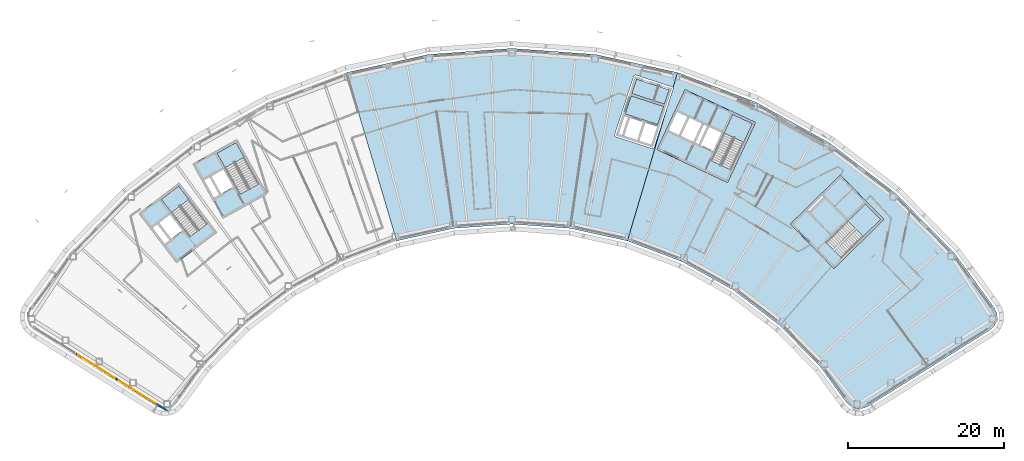
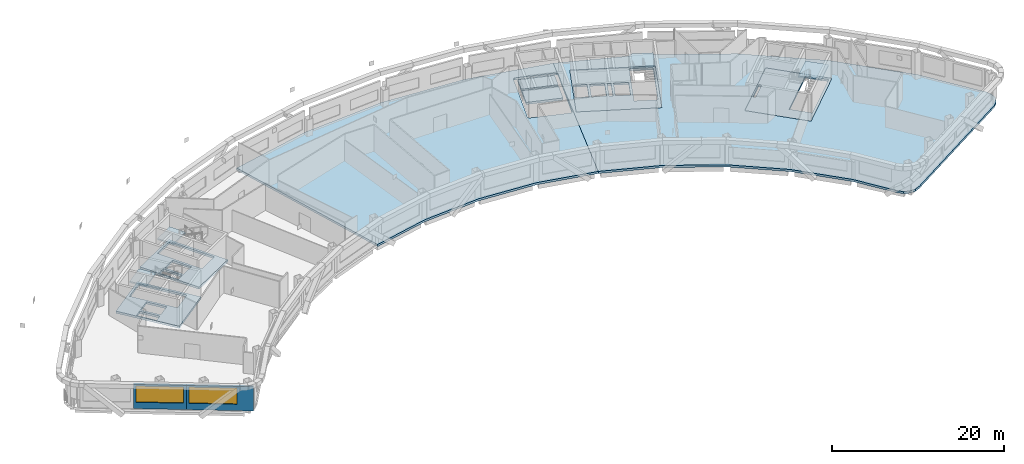
# One storey, part 4 of 21: 12 slabs, 2 walls, 2 windows, 2 openings, 4 elements without a shape of their own.
"""IFC4 building model written with IfcOpenShell, lengths in metres."""

from ifc_helpers import new_model, si_unit, direction, frame, frame_2d, origin, place, context, subcontext, project, spatial, polyline, rectangle, outline, extrude, material, layer, layer_set, type_object, element, fill, aggregate, save


model = new_model("IFC4")

# Units and contexts
model_context = context("Model", 3, precision=1e-05, world=origin(), true_north=direction((0.0, 1.0)))
body_context = subcontext(model_context, "Body", "Model", "MODEL_VIEW")
ifc_project = project(units=[si_unit("LENGTHUNIT", "METRE"), si_unit("AREAUNIT", "SQUARE_METRE"), si_unit("VOLUMEUNIT", "CUBIC_METRE"), si_unit("PLANEANGLEUNIT", "RADIAN"), si_unit("MASSUNIT", "GRAM", prefix="KILO")], contexts=[model_context])

# Site, building, storey
site_placement = place(None, origin())
site = spatial("IfcSite", under=ifc_project, at=site_placement, CompositionType="ELEMENT")
building_placement = place(site_placement, origin())
building = spatial("IfcBuilding", under=site, at=building_placement, Name="Tuul Gate Civic Tower", CompositionType="ELEMENT")
storey_placement = place(building_placement, frame((0.0, 0.0, 311.0)))
storey = spatial("IfcBuildingStorey", under=building, at=storey_placement, Name="Level 70", CompositionType="ELEMENT", Elevation=311.0)

# Slabs
ifc_material_1 = material(Name="Concrete C40/50", Category="concrete")
ifc_layer_1 = layer(ifc_material_1, 0.300048828125)
ifc_layer_set_1 = layer_set([ifc_layer_1], Name="Concrete C40/50")
slab_type_1 = type_object("IfcSlabType", Name="Core floor slab 300", PredefinedType="FLOOR", material=ifc_layer_set_1)
slab_1_placement = place(storey_placement, frame((0.0, 0.0, -0.300048828125)))
element("IfcSlab", 1, at=slab_1_placement, inside=storey, type_object=slab_type_1, Name="FLOOR SLAB", PredefinedType="FLOOR", context=body_context, shape_type="SweptSolid", body=[
    extrude(outline(polyline([(-31.10009765625, -13.7890625), (-35.946044921875, -7.423828125), (-41.11767578125, -11.361572265625), (-36.271484375, -17.726806640625), (-31.10009765625, -13.7890625)]), holes=[polyline([(-35.561767578125, -13.541259765625), (-37.1064453125, -11.512451171875), (-38.498779296875, -12.572509765625), (-36.9541015625, -14.6015625), (-35.561767578125, -13.541259765625)]), polyline([(-37.19287109375, -14.783203125), (-38.737548828125, -12.75439453125), (-39.45361328125, -13.299560546875), (-37.908935546875, -15.328369140625), (-37.19287109375, -14.783203125)]), polyline([(-32.33935546875, -12.65771484375), (-34.56591796875, -14.352783203125), (-38.229736328125, -9.54052734375), (-36.003173828125, -7.845458984375), (-32.33935546875, -12.65771484375)])]), origin(), (0.0, 0.0, 1.0), 0.300048828125),
])
slab_2_placement = place(storey_placement, frame((0.0, 0.0, -0.300048828125)))
element("IfcSlab", 2, at=slab_2_placement, inside=storey, type_object=slab_type_1, Name="FLOOR SLAB", PredefinedType="FLOOR", context=body_context, shape_type="SweptSolid", body=[
    extrude(outline(polyline([(-24.638916015625, -8.846923828125), (-28.51708984375, -1.849853515625), (-34.2021484375, -5.0009765625), (-30.32421875, -11.998046875), (-24.638916015625, -8.846923828125)]), holes=[polyline([(-29.0185546875, -7.958740234375), (-30.254638671875, -5.728515625), (-31.785400390625, -6.576904296875), (-30.54931640625, -8.80712890625), (-29.0185546875, -7.958740234375)]), polyline([(-30.8115234375, -8.95263671875), (-32.047607421875, -6.72216796875), (-32.8349609375, -7.158447265625), (-31.5986328125, -9.388916015625), (-30.8115234375, -8.95263671875)]), polyline([(-25.702392578125, -7.548828125), (-28.14990234375, -8.905517578125), (-31.08203125, -3.615234375), (-28.63427734375, -2.2587890625), (-25.702392578125, -7.548828125)])]), origin(), (0.0, 0.0, 1.0), 0.300048828125),
])
slab_3_placement = place(storey_placement, frame((0.0, 0.0, -0.300048828125)))
element("IfcSlab", 3, at=slab_3_placement, inside=storey, type_object=slab_type_1, Name="FLOOR SLAB", PredefinedType="FLOOR", context=body_context, shape_type="SweptSolid", body=[
    extrude(outline(polyline([(48.117919921875, -18.43310546875), (54.545166015625, -12.1328125), (48.945068359375, -6.419921875), (42.517822265625, -12.719970703125), (48.117919921875, -18.43310546875)]), holes=[polyline([(44.93896484375, -11.046875), (46.760009765625, -9.261962890625), (46.514892578125, -9.011962890625), (44.69384765625, -10.797119140625), (44.93896484375, -11.046875)]), polyline([(49.086181640625, -17.062744140625), (47.12744140625, -15.064208984375), (52.160888671875, -10.130126953125), (54.11962890625, -12.128662109375), (49.086181640625, -17.062744140625)])]), origin(), (0.0, 0.0, 1.0), 0.300048828125),
])
slab_4_placement = place(storey_placement, frame((0.0, 0.0, -0.300048828125)))
element("IfcSlab", 4, at=slab_4_placement, inside=storey, type_object=slab_type_1, Name="FLOOR SLAB", PredefinedType="FLOOR", context=body_context, shape_type="SweptSolid", body=[
    extrude(outline(polyline([(34.465087890625, -7.385986328125), (38.056884765625, 0.31787109375), (28.993896484375, 4.543701171875), (25.40185546875, -3.159912109375), (34.465087890625, -7.385986328125)]), holes=[polyline([(32.60888671875, -3.32080078125), (33.6865234375, -1.009765625), (32.1005859375, -0.27001953125), (31.02294921875, -2.581298828125), (32.60888671875, -3.32080078125)]), polyline([(30.0712890625, -2.137451171875), (31.14892578125, 0.173583984375), (29.562744140625, 0.9130859375), (28.4853515625, -1.39794921875), (30.0712890625, -2.137451171875)]), polyline([(30.751220703125, -2.454345703125), (31.82861328125, -0.143310546875), (31.4208984375, 0.046875), (30.34326171875, -2.264404296875), (30.751220703125, -2.454345703125)]), polyline([(28.21337890625, -1.27099609375), (29.291015625, 1.0400390625), (27.8408203125, 1.71630859375), (26.76318359375, -0.594970703125), (28.21337890625, -1.27099609375)]), polyline([(34.889892578125, -5.7626953125), (32.353759765625, -4.580078125), (35.120849609375, 1.354736328125), (37.6572265625, 0.17236328125), (34.889892578125, -5.7626953125)])]), origin(), (0.0, 0.0, 1.0), 0.300048828125),
])
ifc_material_2 = material(Name="Concrete C40/50", Category="concrete")
ifc_layer_2 = layer(ifc_material_2, 0.300048828125)
ifc_layer_set_2 = layer_set([ifc_layer_2], Name="Concrete C40/50")
slab_type_2 = type_object("IfcSlabType", Name="Core floor slab 300 non-bearing", PredefinedType="FLOOR", material=ifc_layer_set_2)
slab_5_placement = place(storey_placement, frame((0.0, 0.0, -0.300048828125)))
element("IfcSlab", 5, at=slab_5_placement, inside=storey, type_object=slab_type_2, Name="FLOOR SLAB", PredefinedType="FLOOR", context=body_context, shape_type="SweptSolid", body=[
    extrude(outline(polyline([(21.322265625, 1.41650390625), (22.07958984375, 3.74658203125), (26.26416015625, 2.38671875), (25.507080078125, 0.056640625), (21.322265625, 1.41650390625)])), origin(), (0.0, 0.0, 1.0), 0.300048828125),
])
slab_6_placement = place(storey_placement, frame((0.0, 0.0, -0.300048828125)))
element("IfcSlab", 6, at=slab_6_placement, inside=storey, type_object=slab_type_2, Name="FLOOR SLAB", PredefinedType="FLOOR", context=body_context, shape_type="SweptSolid", body=[
    extrude(outline(polyline([(26.35693359375, 2.672119140625), (22.17236328125, 4.031982421875), (22.775146484375, 5.88623046875), (26.959716796875, 4.526611328125), (26.35693359375, 2.672119140625)])), origin(), (0.0, 0.0, 1.0), 0.300048828125),
])

# Stair, slab
ifc_material_3 = material(Name="Concrete C40/50", Category="concrete")
stair_type = type_object("IfcStairType", Name="Exit stair", PredefinedType="HALF_TURN_STAIR", material=ifc_material_3)
stair_1_placement = place(storey_placement, origin())
stair_1 = element("IfcStair", 7, at=stair_1_placement, inside=storey, type_object=stair_type, Name="Level 70 ST-1", PredefinedType="HALF_TURN_STAIR")
ifc_material_4 = material(Name="Concrete C40/50", Category="concrete")
ifc_layer_3 = layer(ifc_material_4, 0.199951171875)
ifc_layer_set_3 = layer_set([ifc_layer_3], Name="Concrete C40/50")
slab_type_3 = type_object("IfcSlabType", Name="Exit stair landing", PredefinedType="LANDING", material=ifc_layer_set_3)
slab_7_placement = place(storey_placement, frame((0.0, 0.0, 1.89990234375)))
slab_7 = element("IfcSlab", 8, at=slab_7_placement, type_object=slab_type_3, Name="ST-1 landing 1", PredefinedType="LANDING", context=body_context, shape_type="SweptSolid", body=[
    extrude(outline(polyline([(-34.699462890625, -9.554931640625), (-36.9287109375, -11.252197265625), (-38.23193359375, -9.540283203125), (-36.0029296875, -7.843017578125), (-34.699462890625, -9.554931640625)])), origin(), (0.0, 0.0, 1.0), 0.2001953125),
])
aggregate(stair_1, [slab_7])

stair_2_placement = place(storey_placement, origin())
stair_2 = element("IfcStair", 9, at=stair_2_placement, inside=storey, type_object=stair_type, Name="Level 70 ST-2", PredefinedType="HALF_TURN_STAIR")
slab_8_placement = place(storey_placement, frame((0.0, 0.0, 1.89990234375)))
slab_8 = element("IfcSlab", 10, at=slab_8_placement, type_object=slab_type_3, Name="ST-2 landing 1", PredefinedType="LANDING", context=body_context, shape_type="SweptSolid", body=[
    extrude(outline(polyline([(-27.5908203125, -4.138427734375), (-30.041015625, -5.49658203125), (-31.084228515625, -3.61474609375), (-28.6337890625, -2.256591796875), (-27.5908203125, -4.138427734375)])), origin(), (0.0, 0.0, 1.0), 0.2001953125),
])
aggregate(stair_2, [slab_8])

stair_3_placement = place(storey_placement, origin())
stair_3 = element("IfcStair", 11, at=stair_3_placement, inside=storey, type_object=stair_type, Name="Level 70 ST-3", PredefinedType="HALF_TURN_STAIR")
slab_9_placement = place(storey_placement, frame((0.0, 0.0, 1.89990234375)))
slab_9 = element("IfcSlab", 12, at=slab_9_placement, type_object=slab_type_3, Name="ST-3 landing 1", PredefinedType="LANDING", context=body_context, shape_type="SweptSolid", body=[
    extrude(outline(polyline([(51.871337890625, -14.3349609375), (49.91015625, -12.334228515625), (52.160888671875, -10.1279296875), (54.1220703125, -12.128662109375), (51.871337890625, -14.3349609375)])), origin(), (0.0, 0.0, 1.0), 0.2001953125),
])
aggregate(stair_3, [slab_9])

stair_4_placement = place(storey_placement, origin())
stair_4 = element("IfcStair", 13, at=stair_4_placement, inside=storey, type_object=stair_type, Name="Level 70 ST-4", PredefinedType="HALF_TURN_STAIR")
slab_10_placement = place(storey_placement, frame((0.0, 0.0, 1.89990234375)))
slab_10 = element("IfcSlab", 14, at=slab_10_placement, type_object=slab_type_3, Name="ST-4 landing 1", PredefinedType="LANDING", context=body_context, shape_type="SweptSolid", body=[
    extrude(outline(polyline([(36.538818359375, -2.230224609375), (33.999755859375, -1.046142578125), (35.1201171875, 1.35693359375), (37.659423828125, 0.173095703125), (36.538818359375, -2.230224609375)])), origin(), (0.0, 0.0, 1.0), 0.2001953125),
])
aggregate(stair_4, [slab_10])

# Slabs
ifc_material_5 = material(Name="Concrete C35/45", Category="concrete")
ifc_layer_4 = layer(ifc_material_5, 0.300048828125)
ifc_layer_set_4 = layer_set([ifc_layer_4], Name="Concrete C35/45")
slab_type_4 = type_object("IfcSlabType", Name="STR-FLOOR-SLAB-300", PredefinedType="FLOOR", material=ifc_layer_set_4)
slab_11_placement = place(storey_placement, frame((0.0, 0.0, -0.300048828125)))
element("IfcSlab", 15, at=slab_11_placement, inside=storey, type_object=slab_type_4, Name="Level 70/slab/M", PredefinedType="FLOOR", context=body_context, shape_type="SweptSolid", body=[
    extrude(outline(polyline([(21.60205078125, -14.883056640625), (26.783935546875, 2.531005859375), (25.008056640625, -2.93505859375), (24.819091796875, -3.031982421875), (20.06396484375, -1.487060546875), (19.967041015625, -1.298095703125), (22.43896484375, 6.31103515625), (22.6279296875, 6.407958984375), (27.384033203125, 4.863037109375), (27.444091796875, 4.74609375), (28.035888671875, 6.739013671875), (17.52392578125, 9.054931640625), (6.7880859375, 9.8330078125), (-3.947998046875, 9.054931640625), (-14.4599609375, 6.739013671875), (-8.02587890625, -14.883056640625), (-0.697021484375, -13.26806640625), (6.7880859375, -12.72607421875), (14.27294921875, -13.26806640625), (21.60205078125, -14.883056640625)])), origin(), (0.0, 0.0, 1.0), 0.300048828125),
])
slab_12_placement = place(storey_placement, frame((0.0, 0.0, -0.300048828125)))
element("IfcSlab", 16, at=slab_12_placement, inside=storey, type_object=slab_type_4, Name="Level 70/slab/E", PredefinedType="FLOOR", context=body_context, shape_type="SweptSolid", body=[
    extrude(outline(polyline([(51.719970703125, -36.427001953125), (52.4140625, -36.156005859375), (68.14404296875, -26.326904296875), (68.73388671875, -25.762939453125), (69.048095703125, -25.010009765625), (69.035888671875, -24.195068359375), (68.699951171875, -23.451904296875), (63.618896484375, -16.4951171875), (56.083984375, -8.80810546875), (47.51904296875, -2.287109375), (38.10498046875, 2.930908203125), (28.035888671875, 6.739013671875), (27.444091796875, 4.74609375), (27.48095703125, 4.674072265625), (26.783935546875, 2.531005859375), (21.60205078125, -14.883056640625), (28.6220703125, -17.5380859375), (35.18603515625, -21.176025390625), (41.156982421875, -25.721923828125), (46.409912109375, -31.08203125), (49.739013671875, -35.639892578125), (50.282958984375, -36.14892578125), (50.97509765625, -36.424072265625), (51.719970703125, -36.427001953125)]), holes=[polyline([(48.117919921875, -18.43310546875), (42.51806640625, -12.719970703125), (48.945068359375, -6.419921875), (54.544921875, -12.133056640625), (48.117919921875, -18.43310546875)]), polyline([(25.402099609375, -3.159912109375), (28.993896484375, 4.5439453125), (38.056884765625, 0.318115234375), (34.465087890625, -7.385986328125), (25.402099609375, -3.159912109375)])]), origin(), (0.0, 0.0, 1.0), 0.300048828125),
])

# Wall, opening, window
ifc_material_6 = material(Name="Precast concrete C40/50", Category="concrete")
ifc_layer_5 = layer(ifc_material_6, 0.25)
ifc_layer_set_5 = layer_set([ifc_layer_5], Name="Precast concrete C40/50")
wall_type = type_object("IfcWallType", Name="External wall", PredefinedType="STANDARD", material=ifc_layer_set_5)
wall_1_placement = place(storey_placement, frame((-49.179443359375, -29.370361328125, 0.0), z_axis=(0.0, 0.0, 1.0), x_axis=(0.848053758074, -0.529910203164, 0.0)))
wall_1 = element("IfcWall", 17, at=wall_1_placement, inside=storey, type_object=wall_type, Name="External wall", PredefinedType="STANDARD", context=body_context, shape_type="SweptSolid", body=[
    extrude(rectangle(XDim=6.182861328125, YDim=0.25, at=frame_2d((3.09130859375, 0.0))), origin(), (0.0, 0.0, 1.0), 3.449951171875),
])
opening_1_placement = place(wall_1_placement, frame((0.31640625, 0.0, 0.89990234375)))
opening_1 = element("IfcOpeningElement", 18, at=opening_1_placement, cuts=wall_1, Name="Opening W24", PredefinedType="OPENING", context=body_context, shape_type="SweptSolid", body=[
    extrude(rectangle(XDim=5.550048828125, YDim=2.300048828125, at=frame_2d((2.77490234375, 1.14990234375))), frame((0.0, 0.135009765625, 0.0), z_axis=(0.0, -1.0, 0.0), x_axis=(1.0, 0.0, 0.0)), (0.0, 0.0, 1.0), 0.27001953125),
])
ifc_material_7 = material(Name="Glass", Category="glass")
window_type = type_object("IfcWindowType", Name="Window W24 5550 x 2300", PartitioningType="SINGLE_PANEL", PredefinedType="WINDOW", material=ifc_material_7)
window_1_placement = place(opening_1_placement, origin())
window_1 = element("IfcWindow", 19, at=window_1_placement, inside=storey, type_object=window_type, Name="Window", OverallHeight=2.300048828125, OverallWidth=5.550048828125, PartitioningType="SINGLE_PANEL", PredefinedType="WINDOW", context=body_context, shape_type="SweptSolid", body=[
    extrude(rectangle(XDim=5.550048828125, YDim=2.300048828125, at=frame_2d((2.77490234375, 1.14990234375))), frame((0.0, 0.030029296875, 0.0), z_axis=(0.0, -1.0, 0.0), x_axis=(1.0, 0.0, 0.0)), (0.0, 0.0, 1.0), 0.06005859375),
])
fill(opening_1, window_1)

wall_2_placement = place(storey_placement, frame((-43.93603515625, -32.646728515625, 0.0), z_axis=(0.0, 0.0, 1.0), x_axis=(0.848051131154, -0.529914407191, 0.0)))
wall_2 = element("IfcWall", 20, at=wall_2_placement, inside=storey, type_object=wall_type, Name="External wall", PredefinedType="STANDARD", context=body_context, shape_type="SweptSolid", body=[
    extrude(rectangle(XDim=7.788330078125, YDim=0.25, at=frame_2d((3.89404296875, 0.0))), origin(), (0.0, 0.0, 1.0), 3.449951171875),
])
opening_2_placement = place(wall_2_placement, frame((0.31640625, 0.0, 0.89990234375)))
opening_2 = element("IfcOpeningElement", 21, at=opening_2_placement, cuts=wall_2, Name="Opening W24", PredefinedType="OPENING", context=body_context, shape_type="SweptSolid", body=[
    extrude(rectangle(XDim=5.550048828125, YDim=2.300048828125, at=frame_2d((2.77490234375, 1.14990234375))), frame((0.0, 0.135009765625, 0.0), z_axis=(0.0, -1.0, 0.0), x_axis=(1.0, 0.0, 0.0)), (0.0, 0.0, 1.0), 0.27001953125),
])
window_2_placement = place(opening_2_placement, origin())
window_2 = element("IfcWindow", 22, at=window_2_placement, inside=storey, type_object=window_type, Name="Window", OverallHeight=2.300048828125, OverallWidth=5.550048828125, PartitioningType="SINGLE_PANEL", PredefinedType="WINDOW", context=body_context, shape_type="SweptSolid", body=[
    extrude(rectangle(XDim=5.550048828125, YDim=2.300048828125, at=frame_2d((2.77490234375, 1.14990234375))), frame((0.0, 0.030029296875, 0.0), z_axis=(0.0, -1.0, 0.0), x_axis=(1.0, 0.0, 0.0)), (0.0, 0.0, 1.0), 0.06005859375),
])
fill(opening_2, window_2)

save(model, "model.ifc")
